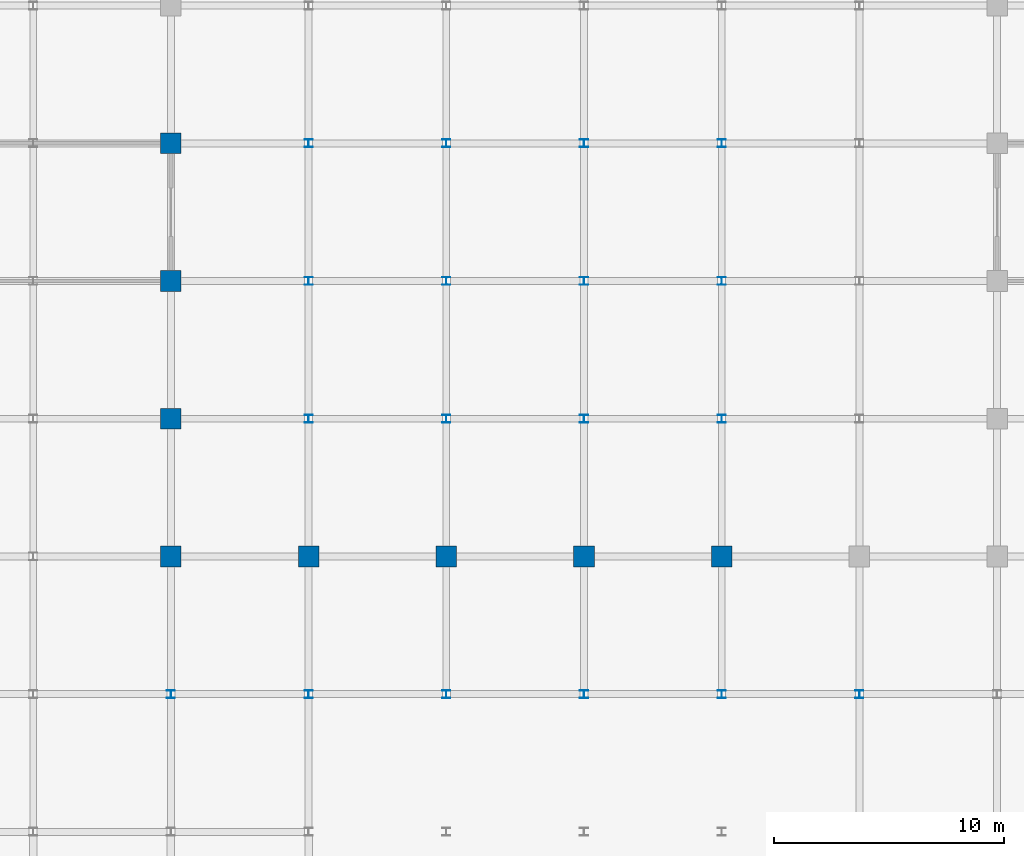
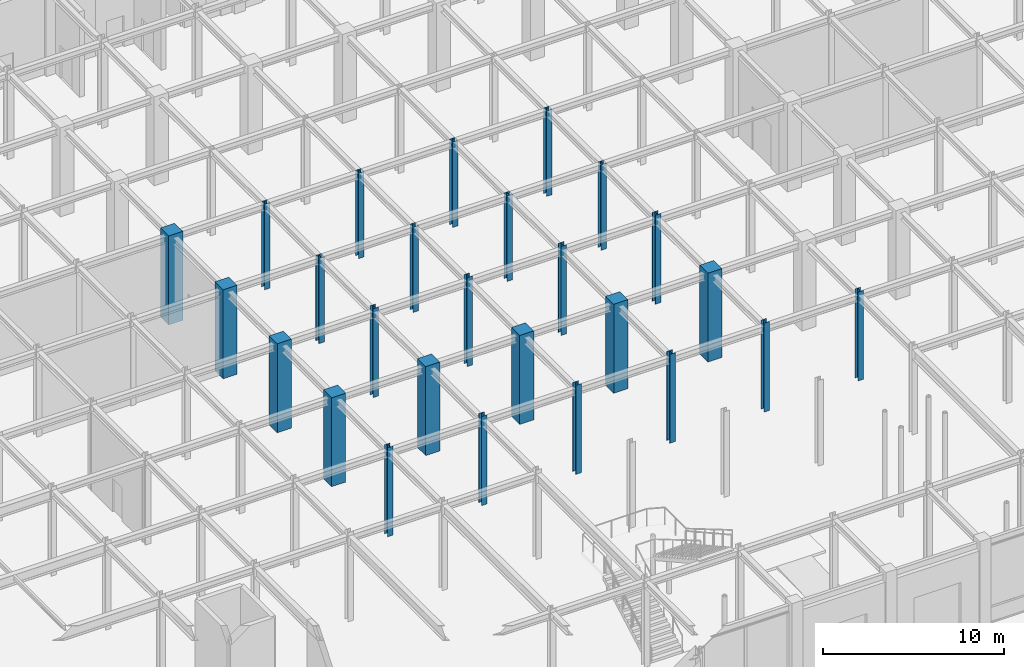
# One storey, part 11 of 51: 26 columns.
"""IFC4 building model written with IfcOpenShell, lengths in metres."""

from ifc_helpers import new_model, si_unit, direction, frame, origin, origin_2d, place, context, subcontext, project, spatial, rectangle, i_section, extrude, material, material_profile, profile_set, type_object, element, save


model = new_model("IFC4")

# Units and contexts
model_context = context("Model", 3, precision=1e-05, world=origin(), true_north=direction((0.0, 1.0)))
body_context = subcontext(model_context, "Body", "Model", "MODEL_VIEW")
ifc_project = project(units=[si_unit("LENGTHUNIT", "METRE"), si_unit("AREAUNIT", "SQUARE_METRE"), si_unit("VOLUMEUNIT", "CUBIC_METRE"), si_unit("PLANEANGLEUNIT", "RADIAN"), si_unit("MASSUNIT", "GRAM", prefix="KILO")], contexts=[model_context])

# Site, building, storey
site_placement = place(None, origin())
site = spatial("IfcSite", under=ifc_project, at=site_placement, CompositionType="ELEMENT")
building_placement = place(site_placement, origin())
building = spatial("IfcBuilding", under=site, at=building_placement, Name="Zlatovratsky Civic Hall", CompositionType="ELEMENT")
storey_placement = place(building_placement, origin())
storey = spatial("IfcBuildingStorey", under=building, at=storey_placement, Name="L01", CompositionType="ELEMENT", Elevation=0.0)

# Columns
ifc_material_1 = material(Name="Concrete C35/45 (B40)", Category="concrete")
ifc_material_profile_1 = material_profile(ifc_material_1, rectangle(XDim=0.89990234375, YDim=0.89990234375, at=origin_2d()), Name="RC 900x900")
ifc_profile_set_1 = profile_set([ifc_material_profile_1], Name="Concrete C35/45 (B40)")
column_type_1 = type_object("IfcColumnType", Name="Col_ChamberPier_RC900", PredefinedType="COLUMN", material=ifc_profile_set_1)
for number, where, z_axis, x_axis, name in (
    (1, (66.0, 42.0, 0.0), (0.0, 0.0, 1.0), (1.0, 0.0, 0.0), "CL-0531"),
    (2, (72.0, 42.0, 0.0), (0.0, 0.0, 1.0), (1.0, 0.0, 0.0), "CL-0532"),
    (3, (78.0, 42.0, 0.0), (0.0, 0.0, 1.0), (1.0, 0.0, 0.0), "CL-0533"),
    (4, (84.0, 42.0, 0.0), (0.0, 0.0, 1.0), (1.0, 0.0, 0.0), "CL-0534"),
    (5, (90.0, 42.0, 0.0), (0.0, 0.0, 1.0), (1.0, 0.0, 0.0), "CL-0535"),
    (6, (66.0, 48.0, 0.0), (0.0, 0.0, 1.0), (1.0, 0.0, 0.0), "CL-0554"),
    (7, (66.0, 54.0, 0.0), (0.0, 0.0, 1.0), (1.0, 0.0, 0.0), "CL-0577"),
    (8, (66.0, 60.0, 0.0), (0.0, 0.0, 1.0), (1.0, 0.0, 0.0), "CL-0600"),
):
    element("IfcColumn", number, at=place(storey_placement, frame(where, z_axis=z_axis, x_axis=x_axis)), inside=storey, type_object=column_type_1, Name=name, PredefinedType="COLUMN", context=body_context, shape_type="SweptSolid", body=[
        extrude(rectangle(XDim=0.89990234375, YDim=0.89990234375, at=origin_2d()), origin(), (0.0, 0.0, 1.0), 6.0),
    ])
ifc_material_2 = material(Name="Steel S355", Category="steel")
ifc_material_profile_2 = material_profile(ifc_material_2, i_section(OverallWidth=0.35009765625, OverallDepth=0.343017578125, WebThickness=0.010009765625, FlangeThickness=0.014892578125, FilletRadius=0.02001953125, at=origin_2d()), Name="35K1")
ifc_profile_set_2 = profile_set([ifc_material_profile_2], Name="Steel S355")
column_type_2 = type_object("IfcColumnType", Name="Col_Steel_35K1", PredefinedType="COLUMN", material=ifc_profile_set_2)
for number, where, z_axis, x_axis, name in (
    (9, (66.0, 36.0, 0.0), (0.0, 0.0, 1.0), (1.0, 0.0, 0.0), "CL-0508"),
    (10, (72.0, 36.0, 0.0), (0.0, 0.0, 1.0), (1.0, 0.0, 0.0), "CL-0509"),
    (11, (78.0, 36.0, 0.0), (0.0, 0.0, 1.0), (1.0, 0.0, 0.0), "CL-0510"),
    (12, (84.0, 36.0, 0.0), (0.0, 0.0, 1.0), (1.0, 0.0, 0.0), "CL-0511"),
    (13, (90.0, 36.0, 0.0), (0.0, 0.0, 1.0), (1.0, 0.0, 0.0), "CL-0512"),
    (14, (96.0, 36.0, 0.0), (0.0, 0.0, 1.0), (1.0, 0.0, 0.0), "CL-0513"),
    (15, (72.0, 48.0, 0.0), (0.0, 0.0, 1.0), (1.0, 0.0, 0.0), "CL-0555"),
    (16, (78.0, 48.0, 0.0), (0.0, 0.0, 1.0), (1.0, 0.0, 0.0), "CL-0556"),
    (17, (84.0, 48.0, 0.0), (0.0, 0.0, 1.0), (1.0, 0.0, 0.0), "CL-0557"),
    (18, (90.0, 48.0, 0.0), (0.0, 0.0, 1.0), (1.0, 0.0, 0.0), "CL-0558"),
):
    element("IfcColumn", number, at=place(storey_placement, frame(where, z_axis=z_axis, x_axis=x_axis)), inside=storey, type_object=column_type_2, Name=name, PredefinedType="COLUMN", context=body_context, shape_type="SweptSolid", body=[
        extrude(i_section(OverallWidth=0.35009765625, OverallDepth=0.343017578125, WebThickness=0.010009765625, FlangeThickness=0.014892578125, FilletRadius=0.02001953125, at=origin_2d()), origin(), (0.0, 0.0, 1.0), 6.0),
    ])
for number, where, z_axis, x_axis, name in (
    (19, (72.0, 54.0, 0.0), (0.0, 0.0, 1.0), (1.0, 0.0, 0.0), "CL-0578"),
    (20, (78.0, 54.0, 0.0), (0.0, 0.0, 1.0), (1.0, 0.0, 0.0), "CL-0579"),
    (21, (84.0, 54.0, 0.0), (0.0, 0.0, 1.0), (1.0, 0.0, 0.0), "CL-0580"),
    (22, (90.0, 54.0, 0.0), (0.0, 0.0, 1.0), (1.0, 0.0, 0.0), "CL-0581"),
    (23, (72.0, 60.0, 0.0), (0.0, 0.0, 1.0), (1.0, 0.0, 0.0), "CL-0601"),
    (24, (78.0, 60.0, 0.0), (0.0, 0.0, 1.0), (1.0, 0.0, 0.0), "CL-0602"),
    (25, (84.0, 60.0, 0.0), (0.0, 0.0, 1.0), (1.0, 0.0, 0.0), "CL-0603"),
    (26, (90.0, 60.0, 0.0), (0.0, 0.0, 1.0), (1.0, 0.0, 0.0), "CL-0604"),
):
    element("IfcColumn", number, at=place(storey_placement, frame(where, z_axis=z_axis, x_axis=x_axis)), inside=storey, type_object=column_type_2, Name=name, PredefinedType="COLUMN", context=body_context, shape_type="SweptSolid", body=[
        extrude(i_section(OverallWidth=0.35009765625, OverallDepth=0.343017578125, WebThickness=0.010009765625, FlangeThickness=0.014892578125, FilletRadius=0.02001953125, at=origin_2d()), origin(), (0.0, 0.0, 1.0), 5.760009765625),
    ])

save(model, "model.ifc")
